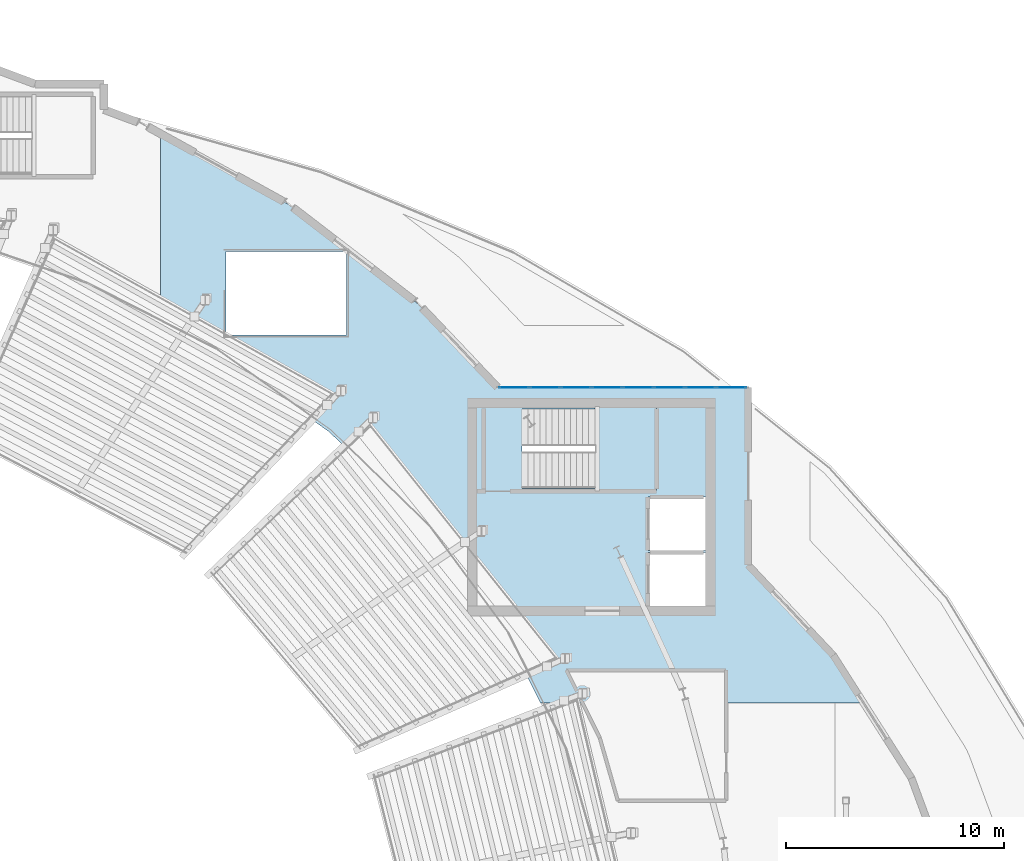
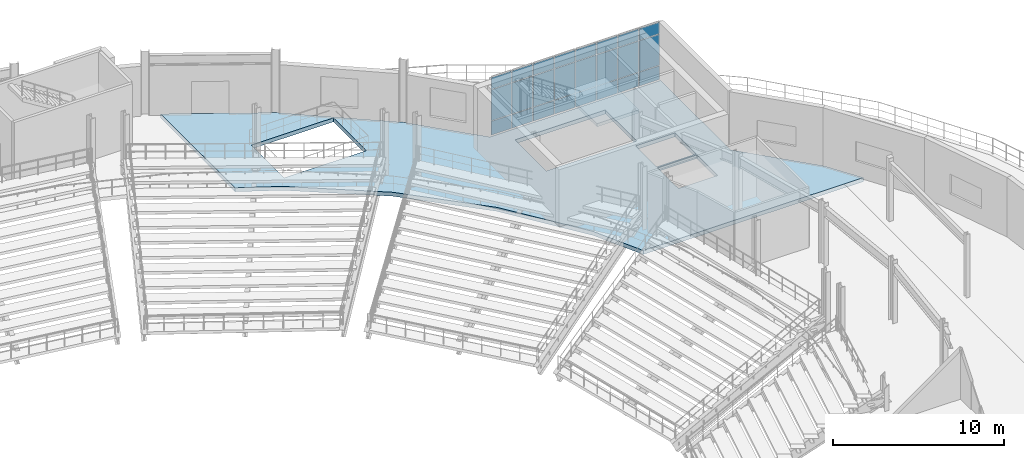
# One storey, part 52 of 81: 24 plates, 2 slabs, 2 elements without a shape of their own.
"""IFC4 building model written with IfcOpenShell, lengths in metres."""

from ifc_helpers import new_model, si_unit, direction, frame, origin, origin_2d, place, context, subcontext, project, spatial, polyline, rectangle, outline, extrude, material, layer, layer_set, type_object, element, aggregate, save


model = new_model("IFC4")

# Units and contexts
model_context = context("Model", 3, precision=1e-05, world=origin(), true_north=direction((0.0, 1.0)))
body_context = subcontext(model_context, "Body", "Model", "MODEL_VIEW")
ifc_project = project(units=[si_unit("LENGTHUNIT", "METRE"), si_unit("AREAUNIT", "SQUARE_METRE"), si_unit("VOLUMEUNIT", "CUBIC_METRE"), si_unit("PLANEANGLEUNIT", "RADIAN"), si_unit("MASSUNIT", "GRAM", prefix="KILO")], contexts=[model_context])

# Site, building, storey
site_placement = place(None, origin())
site = spatial("IfcSite", under=ifc_project, at=site_placement, CompositionType="ELEMENT")
building_placement = place(site_placement, origin())
building = spatial("IfcBuilding", under=site, at=building_placement, Name="Glasvene Arena", CompositionType="ELEMENT")
storey_placement = place(building_placement, frame((0.0, 0.0, 15.0)))
storey = spatial("IfcBuildingStorey", under=building, at=storey_placement, Name="L03", CompositionType="ELEMENT", Elevation=15.0)

# Curtain wall, plates
ifc_material_1 = material(Name="Low-emissivity laminated double glazing", Category="glass")
curtain_wall_type = type_object("IfcCurtainWallType", Name="CW-FAC-L03-1144x419", PredefinedType="USERDEFINED", material=ifc_material_1)
curtain_wall_placement = place(storey_placement, frame((131.020263671875, 101.0, 0.0)))
curtain_wall = element("IfcCurtainWall", 1, at=curtain_wall_placement, inside=storey, type_object=curtain_wall_type, Name="Unitised curtain wall CW-F-L03-180-1367-1010-34", ObjectType="CURTAIN WALL", PredefinedType="USERDEFINED")
ifc_layer_1 = layer(ifc_material_1, 0.028076171875)
ifc_layer_set_1 = layer_set([ifc_layer_1], Name="Low-emissivity laminated double glazing")
plate_type = type_object("IfcPlateType", Name="CW-GLZ-28", PredefinedType="CURTAIN_PANEL", material=ifc_layer_set_1)
plate_1_placement = place(storey_placement, frame((131.747802734375, 101.0, 0.10986328125), z_axis=(0.0, 0.0, 1.0), x_axis=(1.0, 0.0, 0.0)))
plate_1 = element("IfcPlate", 2, at=plate_1_placement, type_object=plate_type, Name="CW-038 panel 1.1", PredefinedType="CURTAIN_PANEL", context=body_context, shape_type="SweptSolid", body=[
    extrude(rectangle(XDim=1.35498046875, YDim=0.028076171875, at=origin_2d()), origin(), (0.0, 0.0, 1.0), 0.965087890625),
])
plate_2_placement = place(storey_placement, frame((131.747802734375, 101.0, 1.125), z_axis=(0.0, 0.0, 1.0), x_axis=(1.0, 0.0, 0.0)))
plate_2 = element("IfcPlate", 3, at=plate_2_placement, type_object=plate_type, Name="CW-038 panel 1.2", PredefinedType="CURTAIN_PANEL", context=body_context, shape_type="SweptSolid", body=[
    extrude(rectangle(XDim=1.35498046875, YDim=0.028076171875, at=origin_2d()), origin(), (0.0, 0.0, 1.0), 2.199951171875),
])
plate_3_placement = place(storey_placement, frame((131.747802734375, 101.0, 3.375), z_axis=(0.0, 0.0, 1.0), x_axis=(1.0, 0.0, 0.0)))
plate_3 = element("IfcPlate", 4, at=plate_3_placement, type_object=plate_type, Name="CW-038 panel 1.3", PredefinedType="CURTAIN_PANEL", context=body_context, shape_type="SweptSolid", body=[
    extrude(rectangle(XDim=1.35498046875, YDim=0.028076171875, at=origin_2d()), origin(), (0.0, 0.0, 1.0), 0.824951171875),
])
plate_4_placement = place(storey_placement, frame((133.165283203125, 101.0, 0.10986328125), z_axis=(0.0, 0.0, 1.0), x_axis=(1.0, 0.0, 0.0)))
plate_4 = element("IfcPlate", 5, at=plate_4_placement, type_object=plate_type, Name="CW-038 panel 2.1", PredefinedType="CURTAIN_PANEL", context=body_context, shape_type="SweptSolid", body=[
    extrude(rectangle(XDim=1.3798828125, YDim=0.028076171875, at=origin_2d()), origin(), (0.0, 0.0, 1.0), 0.965087890625),
])
plate_5_placement = place(storey_placement, frame((133.165283203125, 101.0, 1.125), z_axis=(0.0, 0.0, 1.0), x_axis=(1.0, 0.0, 0.0)))
plate_5 = element("IfcPlate", 6, at=plate_5_placement, type_object=plate_type, Name="CW-038 panel 2.2", PredefinedType="CURTAIN_PANEL", context=body_context, shape_type="SweptSolid", body=[
    extrude(rectangle(XDim=1.3798828125, YDim=0.028076171875, at=origin_2d()), origin(), (0.0, 0.0, 1.0), 2.199951171875),
])
plate_6_placement = place(storey_placement, frame((133.165283203125, 101.0, 3.375), z_axis=(0.0, 0.0, 1.0), x_axis=(1.0, 0.0, 0.0)))
plate_6 = element("IfcPlate", 7, at=plate_6_placement, type_object=plate_type, Name="CW-038 panel 2.3", PredefinedType="CURTAIN_PANEL", context=body_context, shape_type="SweptSolid", body=[
    extrude(rectangle(XDim=1.3798828125, YDim=0.028076171875, at=origin_2d()), origin(), (0.0, 0.0, 1.0), 0.824951171875),
])
plate_7_placement = place(storey_placement, frame((134.59521484375, 101.0, 0.10986328125), z_axis=(0.0, 0.0, 1.0), x_axis=(1.0, 0.0, 0.0)))
plate_7 = element("IfcPlate", 8, at=plate_7_placement, type_object=plate_type, Name="CW-038 panel 3.1", PredefinedType="CURTAIN_PANEL", context=body_context, shape_type="SweptSolid", body=[
    extrude(rectangle(XDim=1.3798828125, YDim=0.028076171875, at=origin_2d()), origin(), (0.0, 0.0, 1.0), 0.965087890625),
])
plate_8_placement = place(storey_placement, frame((134.59521484375, 101.0, 1.125), z_axis=(0.0, 0.0, 1.0), x_axis=(1.0, 0.0, 0.0)))
plate_8 = element("IfcPlate", 9, at=plate_8_placement, type_object=plate_type, Name="CW-038 panel 3.2", PredefinedType="CURTAIN_PANEL", context=body_context, shape_type="SweptSolid", body=[
    extrude(rectangle(XDim=1.3798828125, YDim=0.028076171875, at=origin_2d()), origin(), (0.0, 0.0, 1.0), 2.199951171875),
])
plate_9_placement = place(storey_placement, frame((134.59521484375, 101.0, 3.375), z_axis=(0.0, 0.0, 1.0), x_axis=(1.0, 0.0, 0.0)))
plate_9 = element("IfcPlate", 10, at=plate_9_placement, type_object=plate_type, Name="CW-038 panel 3.3", PredefinedType="CURTAIN_PANEL", context=body_context, shape_type="SweptSolid", body=[
    extrude(rectangle(XDim=1.3798828125, YDim=0.028076171875, at=origin_2d()), origin(), (0.0, 0.0, 1.0), 0.824951171875),
])
plate_10_placement = place(storey_placement, frame((136.025146484375, 101.0, 0.10986328125), z_axis=(0.0, 0.0, 1.0), x_axis=(1.0, 0.0, 0.0)))
plate_10 = element("IfcPlate", 11, at=plate_10_placement, type_object=plate_type, Name="CW-038 panel 4.1", PredefinedType="CURTAIN_PANEL", context=body_context, shape_type="SweptSolid", body=[
    extrude(rectangle(XDim=1.3798828125, YDim=0.028076171875, at=origin_2d()), origin(), (0.0, 0.0, 1.0), 0.965087890625),
])
plate_11_placement = place(storey_placement, frame((136.025146484375, 101.0, 1.125), z_axis=(0.0, 0.0, 1.0), x_axis=(1.0, 0.0, 0.0)))
plate_11 = element("IfcPlate", 12, at=plate_11_placement, type_object=plate_type, Name="CW-038 panel 4.2", PredefinedType="CURTAIN_PANEL", context=body_context, shape_type="SweptSolid", body=[
    extrude(rectangle(XDim=1.3798828125, YDim=0.028076171875, at=origin_2d()), origin(), (0.0, 0.0, 1.0), 2.199951171875),
])
plate_12_placement = place(storey_placement, frame((136.025146484375, 101.0, 3.375), z_axis=(0.0, 0.0, 1.0), x_axis=(1.0, 0.0, 0.0)))
plate_12 = element("IfcPlate", 13, at=plate_12_placement, type_object=plate_type, Name="CW-038 panel 4.3", PredefinedType="CURTAIN_PANEL", context=body_context, shape_type="SweptSolid", body=[
    extrude(rectangle(XDim=1.3798828125, YDim=0.028076171875, at=origin_2d()), origin(), (0.0, 0.0, 1.0), 0.824951171875),
])
plate_13_placement = place(storey_placement, frame((137.455078125, 101.0, 0.10986328125), z_axis=(0.0, 0.0, 1.0), x_axis=(1.0, 0.0, 0.0)))
plate_13 = element("IfcPlate", 14, at=plate_13_placement, type_object=plate_type, Name="CW-038 panel 5.1", PredefinedType="CURTAIN_PANEL", context=body_context, shape_type="SweptSolid", body=[
    extrude(rectangle(XDim=1.3798828125, YDim=0.028076171875, at=origin_2d()), origin(), (0.0, 0.0, 1.0), 0.965087890625),
])
plate_14_placement = place(storey_placement, frame((137.455078125, 101.0, 1.125), z_axis=(0.0, 0.0, 1.0), x_axis=(1.0, 0.0, 0.0)))
plate_14 = element("IfcPlate", 15, at=plate_14_placement, type_object=plate_type, Name="CW-038 panel 5.2", PredefinedType="CURTAIN_PANEL", context=body_context, shape_type="SweptSolid", body=[
    extrude(rectangle(XDim=1.3798828125, YDim=0.028076171875, at=origin_2d()), origin(), (0.0, 0.0, 1.0), 2.199951171875),
])
plate_15_placement = place(storey_placement, frame((137.455078125, 101.0, 3.375), z_axis=(0.0, 0.0, 1.0), x_axis=(1.0, 0.0, 0.0)))
plate_15 = element("IfcPlate", 16, at=plate_15_placement, type_object=plate_type, Name="CW-038 panel 5.3", PredefinedType="CURTAIN_PANEL", context=body_context, shape_type="SweptSolid", body=[
    extrude(rectangle(XDim=1.3798828125, YDim=0.028076171875, at=origin_2d()), origin(), (0.0, 0.0, 1.0), 0.824951171875),
])
plate_16_placement = place(storey_placement, frame((138.885009765625, 101.0, 0.10986328125), z_axis=(0.0, 0.0, 1.0), x_axis=(1.0, 0.0, 0.0)))
plate_16 = element("IfcPlate", 17, at=plate_16_placement, type_object=plate_type, Name="CW-038 panel 6.1", PredefinedType="CURTAIN_PANEL", context=body_context, shape_type="SweptSolid", body=[
    extrude(rectangle(XDim=1.3798828125, YDim=0.028076171875, at=origin_2d()), origin(), (0.0, 0.0, 1.0), 0.965087890625),
])
plate_17_placement = place(storey_placement, frame((138.885009765625, 101.0, 1.125), z_axis=(0.0, 0.0, 1.0), x_axis=(1.0, 0.0, 0.0)))
plate_17 = element("IfcPlate", 18, at=plate_17_placement, type_object=plate_type, Name="CW-038 panel 6.2", PredefinedType="CURTAIN_PANEL", context=body_context, shape_type="SweptSolid", body=[
    extrude(rectangle(XDim=1.3798828125, YDim=0.028076171875, at=origin_2d()), origin(), (0.0, 0.0, 1.0), 2.199951171875),
])
plate_18_placement = place(storey_placement, frame((138.885009765625, 101.0, 3.375), z_axis=(0.0, 0.0, 1.0), x_axis=(1.0, 0.0, 0.0)))
plate_18 = element("IfcPlate", 19, at=plate_18_placement, type_object=plate_type, Name="CW-038 panel 6.3", PredefinedType="CURTAIN_PANEL", context=body_context, shape_type="SweptSolid", body=[
    extrude(rectangle(XDim=1.3798828125, YDim=0.028076171875, at=origin_2d()), origin(), (0.0, 0.0, 1.0), 0.824951171875),
])
plate_19_placement = place(storey_placement, frame((140.31494140625, 101.0, 0.10986328125), z_axis=(0.0, 0.0, 1.0), x_axis=(1.0, 0.0, 0.0)))
plate_19 = element("IfcPlate", 20, at=plate_19_placement, type_object=plate_type, Name="CW-038 panel 7.1", PredefinedType="CURTAIN_PANEL", context=body_context, shape_type="SweptSolid", body=[
    extrude(rectangle(XDim=1.3798828125, YDim=0.028076171875, at=origin_2d()), origin(), (0.0, 0.0, 1.0), 0.965087890625),
])
plate_20_placement = place(storey_placement, frame((140.31494140625, 101.0, 1.125), z_axis=(0.0, 0.0, 1.0), x_axis=(1.0, 0.0, 0.0)))
plate_20 = element("IfcPlate", 21, at=plate_20_placement, type_object=plate_type, Name="CW-038 panel 7.2", PredefinedType="CURTAIN_PANEL", context=body_context, shape_type="SweptSolid", body=[
    extrude(rectangle(XDim=1.3798828125, YDim=0.028076171875, at=origin_2d()), origin(), (0.0, 0.0, 1.0), 2.199951171875),
])
plate_21_placement = place(storey_placement, frame((140.31494140625, 101.0, 3.375), z_axis=(0.0, 0.0, 1.0), x_axis=(1.0, 0.0, 0.0)))
plate_21 = element("IfcPlate", 22, at=plate_21_placement, type_object=plate_type, Name="CW-038 panel 7.3", PredefinedType="CURTAIN_PANEL", context=body_context, shape_type="SweptSolid", body=[
    extrude(rectangle(XDim=1.3798828125, YDim=0.028076171875, at=origin_2d()), origin(), (0.0, 0.0, 1.0), 0.824951171875),
])
plate_22_placement = place(storey_placement, frame((141.732421875, 101.0, 0.10986328125), z_axis=(0.0, 0.0, 1.0), x_axis=(1.0, 0.0, 0.0)))
plate_22 = element("IfcPlate", 23, at=plate_22_placement, type_object=plate_type, Name="CW-038 panel 8.1", PredefinedType="CURTAIN_PANEL", context=body_context, shape_type="SweptSolid", body=[
    extrude(rectangle(XDim=1.35498046875, YDim=0.028076171875, at=origin_2d()), origin(), (0.0, 0.0, 1.0), 0.965087890625),
])
plate_23_placement = place(storey_placement, frame((141.732421875, 101.0, 1.125), z_axis=(0.0, 0.0, 1.0), x_axis=(1.0, 0.0, 0.0)))
plate_23 = element("IfcPlate", 24, at=plate_23_placement, type_object=plate_type, Name="CW-038 panel 8.2", PredefinedType="CURTAIN_PANEL", context=body_context, shape_type="SweptSolid", body=[
    extrude(rectangle(XDim=1.35498046875, YDim=0.028076171875, at=origin_2d()), origin(), (0.0, 0.0, 1.0), 2.199951171875),
])
plate_24_placement = place(storey_placement, frame((141.732421875, 101.0, 3.375), z_axis=(0.0, 0.0, 1.0), x_axis=(1.0, 0.0, 0.0)))
plate_24 = element("IfcPlate", 25, at=plate_24_placement, type_object=plate_type, Name="CW-038 panel 8.3", PredefinedType="CURTAIN_PANEL", context=body_context, shape_type="SweptSolid", body=[
    extrude(rectangle(XDim=1.35498046875, YDim=0.028076171875, at=origin_2d()), origin(), (0.0, 0.0, 1.0), 0.824951171875),
])
aggregate(curtain_wall, [plate_1, plate_2, plate_3, plate_4, plate_5, plate_6, plate_7, plate_8, plate_9, plate_10, plate_11, plate_12, plate_13, plate_14, plate_15, plate_16, plate_17, plate_18, plate_19, plate_20, plate_21, plate_22, plate_23, plate_24])

# Slab
ifc_material_2 = material(Name="Concrete C40/50", Category="concrete")
ifc_layer_2 = layer(ifc_material_2, 0.280029296875)
ifc_layer_set_2 = layer_set([ifc_layer_2], Name="Concrete C40/50")
slab_type_1 = type_object("IfcSlabType", Name="SL-CONC-280", PredefinedType="FLOOR", material=ifc_layer_set_2)
slab_1_placement = place(storey_placement, frame((130.234619140625, 98.08740234375, -0.280029296875)))
element("IfcSlab", 26, at=slab_1_placement, inside=storey, type_object=slab_type_1, Name="Structural floor slab L03 sector 4-5 (99)", PredefinedType="FLOOR", context=body_context, shape_type="SweptSolid", body=[
    extrude(outline(polyline([(2.72509765625, -11.58740234375), (1.14794921875, -8.42578125), (-2.47607421875, -3.515625), (-6.98046875, 0.86328125), (-12.254638671875, 4.603515625), (-14.734619140625, 5.865478515625), (-14.734619140625, 14.56640625), (-8.84521484375, 11.318359375), (-2.87939453125, 6.732421875), (0.74560546875, 2.91259765625), (12.265380859375, 2.91259765625), (12.265380859375, -5.252685546875), (16.18115234375, -9.404541015625), (17.572998046875, -11.58740234375), (2.72509765625, -11.58740234375)]), holes=[polyline([(10.3154296875, -7.137451171875), (10.3154296875, -4.6875), (7.665283203125, -4.6875), (7.665283203125, -7.137451171875), (10.3154296875, -7.137451171875)]), polyline([(10.3154296875, -4.58740234375), (10.3154296875, -2.137451171875), (7.665283203125, -2.137451171875), (7.665283203125, -4.58740234375), (10.3154296875, -4.58740234375)]), polyline([(7.96533203125, -1.7373046875), (7.96533203125, 1.91259765625), (1.867431640625, 1.91259765625), (1.867431640625, -1.7373046875), (7.96533203125, -1.7373046875)]), polyline([(-6.194580078125, 5.3125), (-6.194580078125, 9.16259765625), (-11.732666015625, 9.16259765625), (-11.732666015625, 5.3125), (-6.194580078125, 5.3125)])]), origin(), (0.0, 0.0, 1.0), 0.280029296875),
])

# Stair, slab
stair_type = type_object("IfcStairType", Name="ST-HT-450-170", PredefinedType="HALF_TURN_STAIR", material=ifc_material_2)
stair_placement = place(storey_placement, origin())
stair = element("IfcStair", 27, at=stair_placement, inside=storey, type_object=stair_type, Name="Protected escape stair ST-02 (L03 to L04)", PredefinedType="HALF_TURN_STAIR")
ifc_layer_3 = layer(ifc_material_2, 0.219970703125)
ifc_layer_set_3 = layer_set([ifc_layer_3], Name="Concrete C40/50")
slab_type_2 = type_object("IfcSlabType", Name="SL-LAND-220", PredefinedType="LANDING", material=ifc_layer_set_3)
slab_2_placement = place(storey_placement, frame((136.8798828125, 98.175048828125, 2.030029296875)))
slab_2 = element("IfcSlab", 28, at=slab_2_placement, type_object=slab_type_2, Name="Protected escape stair ST-02 (L03 to L04) landing 1", PredefinedType="LANDING", context=body_context, shape_type="SweptSolid", body=[
    extrude(outline(polyline([(-1.419921875, -1.925048828125), (1.420166015625, -1.925048828125), (1.420166015625, 1.925048828125), (-1.419921875, 1.925048828125), (-1.419921875, -1.925048828125)])), origin(), (0.0, 0.0, 1.0), 0.219970703125),
])
aggregate(stair, [slab_2])

save(model, "model.ifc")
